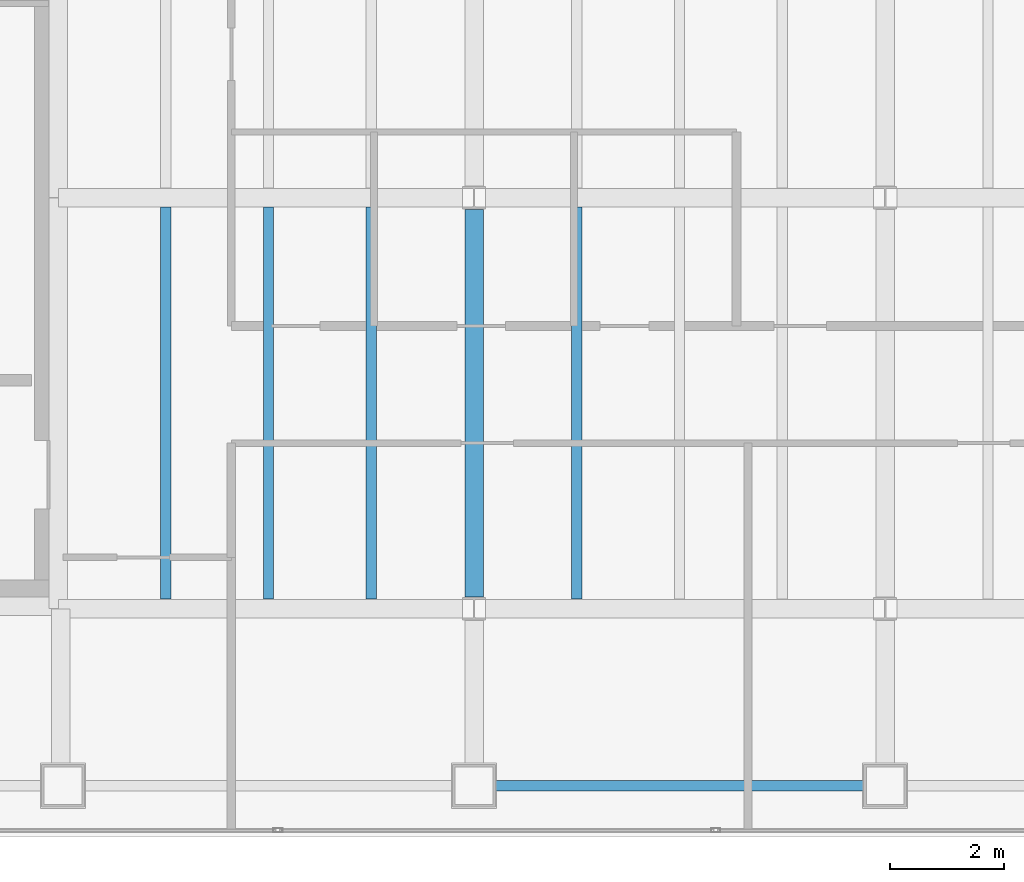
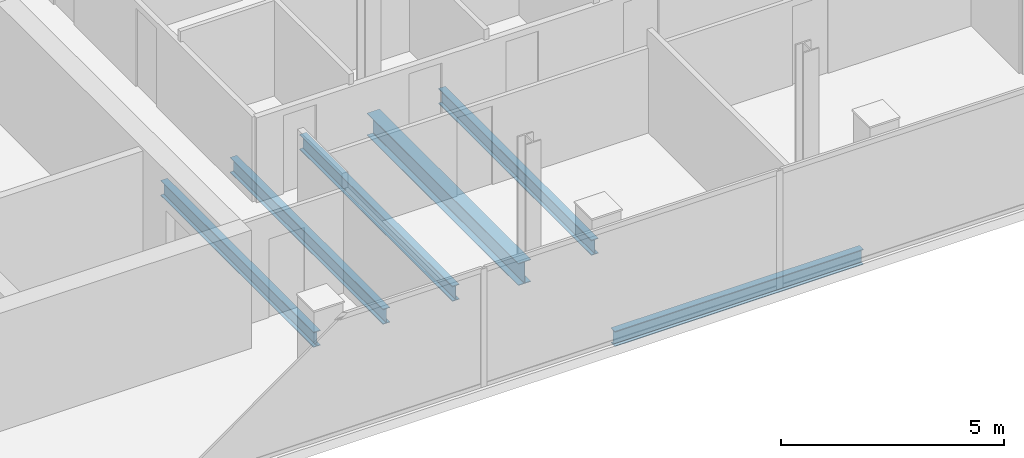
# One storey, part 5 of 23: 6 beams.
"""IFC4 building model written with IfcOpenShell, lengths in metres."""

from ifc_helpers import new_model, si_unit, direction, frame, origin, origin_2d, place, context, subcontext, project, spatial, i_section, extrude, material, material_profile, profile_set, type_object, element, save


model = new_model("IFC4")

# Units and contexts
model_context = context("Model", 3, precision=1e-05, world=origin(), true_north=direction((0.0, 1.0)))
body_context = subcontext(model_context, "Body", "Model", "MODEL_VIEW")
ifc_project = project(units=[si_unit("LENGTHUNIT", "METRE"), si_unit("AREAUNIT", "SQUARE_METRE"), si_unit("VOLUMEUNIT", "CUBIC_METRE"), si_unit("PLANEANGLEUNIT", "RADIAN"), si_unit("MASSUNIT", "GRAM", prefix="KILO")], contexts=[model_context])

# Site, building, storey
site_placement = place(None, origin())
site = spatial("IfcSite", under=ifc_project, at=site_placement, CompositionType="ELEMENT")
building_placement = place(site_placement, origin())
building = spatial("IfcBuilding", under=site, at=building_placement, Name="Cobrela Telecom Tower", CompositionType="ELEMENT")
storey_placement = place(building_placement, frame((0.0, 0.0, 229.25)))
storey = spatial("IfcBuildingStorey", under=building, at=storey_placement, Name="L59", CompositionType="ELEMENT", Elevation=229.25)

# Beams
ifc_material = material(Name="Steel ASTM A992 Grade 50", Category="steel")
ifc_material_profile_1 = material_profile(ifc_material, i_section(OverallWidth=0.324951171875, OverallDepth=0.612060546875, WebThickness=0.0126953125, FlangeThickness=0.01904296875, FilletRadius=0.014892578125, at=origin_2d()), Name="W24X104")
ifc_profile_set_1 = profile_set([ifc_material_profile_1], Name="Steel ASTM A992 Grade 50")
beam_type_1 = type_object("IfcBeamType", Name="BM-GIRD-07", PredefinedType="USERDEFINED", material=ifc_profile_set_1)
beam_1_placement = place(storey_placement, frame((21.60009765625, 7.404541015625, -0.56591796875), z_axis=(0.0, 1.0, 0.0), x_axis=(-1.0, 0.0, 0.0)))
element("IfcBeam", 1, at=beam_1_placement, inside=storey, type_object=beam_type_1, Name="L59 Primary Girder Y33", ObjectType="GIRDER", PredefinedType="USERDEFINED", context=body_context, shape_type="SweptSolid", body=[
    extrude(i_section(OverallWidth=0.324951171875, OverallDepth=0.612060546875, WebThickness=0.0126953125, FlangeThickness=0.01904296875, FilletRadius=0.014892578125, at=origin_2d()), origin(), (0.0, 0.0, 1.0), 6.791015625),
])
ifc_material_profile_2 = material_profile(ifc_material, i_section(OverallWidth=0.179931640625, OverallDepth=0.4169921875, WebThickness=0.010986328125, FlangeThickness=0.01806640625, FilletRadius=0.011962890625, at=origin_2d()), Name="W16X57")
ifc_profile_set_2 = profile_set([ifc_material_profile_2], Name="Steel ASTM A992 Grade 50")
beam_type_2 = type_object("IfcBeamType", Name="BM-JOIST-04", PredefinedType="JOIST", material=ifc_profile_set_2)
for number, where, z_axis, x_axis, name in (
    (2, (16.199951171875, 7.367431640625, -0.468505859375), (0.0, 1.0, 0.0), (-1.0, 0.0, 0.0), "L59 Secondary Composite Floor Beam J01"),
    (3, (18.0, 7.367431640625, -0.468505859375), (0.0, 1.0, 0.0), (-1.0, 0.0, 0.0), "L59 Secondary Composite Floor Beam J05"),
    (4, (19.800048828125, 7.367431640625, -0.468505859375), (0.0, 1.0, 0.0), (-1.0, 0.0, 0.0), "L59 Secondary Composite Floor Beam J09"),
    (5, (23.39990234375, 7.367431640625, -0.468505859375), (0.0, 1.0, 0.0), (-1.0, 0.0, 0.0), "L59 Secondary Composite Floor Beam J13"),
):
    element("IfcBeam", number, at=place(storey_placement, frame(where, z_axis=z_axis, x_axis=x_axis)), inside=storey, type_object=beam_type_2, Name=name, PredefinedType="JOIST", context=body_context, shape_type="SweptSolid", body=[
        extrude(i_section(OverallWidth=0.179931640625, OverallDepth=0.4169921875, WebThickness=0.010986328125, FlangeThickness=0.01806640625, FilletRadius=0.011962890625, at=origin_2d()), origin(), (0.0, 0.0, 1.0), 6.864990234375),
    ])
ifc_material_profile_3 = material_profile(ifc_material, i_section(OverallWidth=0.179931640625, OverallDepth=0.4169921875, WebThickness=0.010986328125, FlangeThickness=0.01806640625, FilletRadius=0.011962890625, at=origin_2d()), Name="W16X57")
ifc_profile_set_3 = profile_set([ifc_material_profile_3], Name="Steel ASTM A992 Grade 50")
beam_type_3 = type_object("IfcBeamType", Name="BM-SPAND-06", PredefinedType="SPANDREL", material=ifc_profile_set_3)
beam_2_placement = place(storey_placement, frame((21.97998046875, 4.10009765625, -0.468505859375), z_axis=(1.0, 0.0, 0.0), x_axis=(0.0, 1.0, 0.0)))
element("IfcBeam", 6, at=beam_2_placement, inside=storey, type_object=beam_type_3, Name="L59 Perimeter Spandrel X03", PredefinedType="SPANDREL", context=body_context, shape_type="SweptSolid", body=[
    extrude(i_section(OverallWidth=0.179931640625, OverallDepth=0.4169921875, WebThickness=0.010986328125, FlangeThickness=0.01806640625, FilletRadius=0.011962890625, at=origin_2d()), origin(), (0.0, 0.0, 1.0), 6.43994140625),
])

save(model, "model.ifc")
